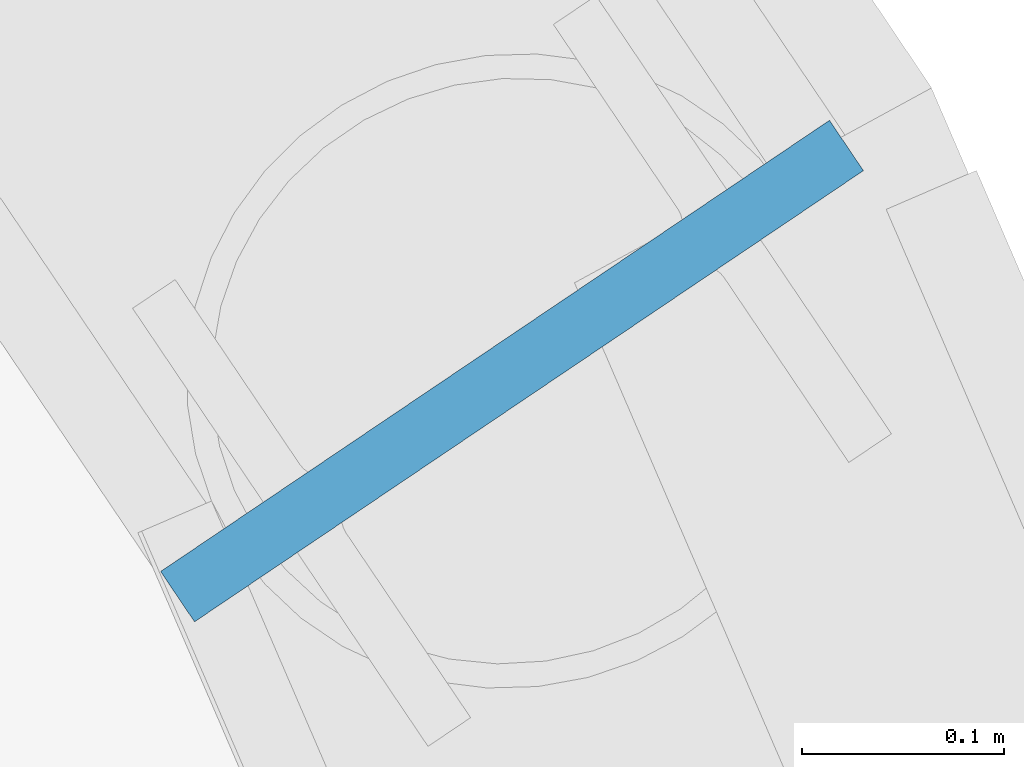
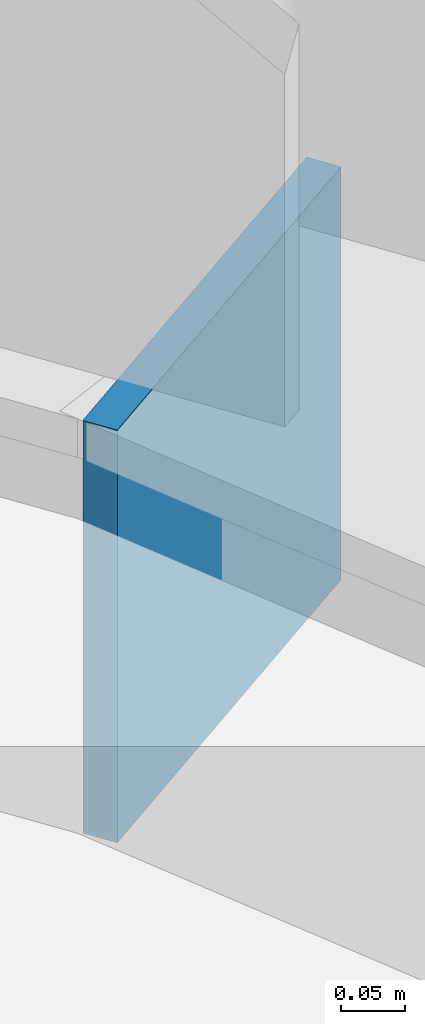
# One storey, part 15 of 19: 1 discrete accessory.
"""IFC4 building model written with IfcOpenShell, lengths in metres."""

from ifc_helpers import new_model, si_unit, direction, frame, origin, origin_2d, place, context, subcontext, project, spatial, rectangle, extrude, material, type_object, element, save


model = new_model("IFC4")

# Units and contexts
model_context = context("Model", 3, precision=1e-05, world=origin(), true_north=direction((0.0, 1.0)))
body_context = subcontext(model_context, "Body", "Model", "MODEL_VIEW")
ifc_project = project(units=[si_unit("LENGTHUNIT", "METRE"), si_unit("AREAUNIT", "SQUARE_METRE"), si_unit("VOLUMEUNIT", "CUBIC_METRE"), si_unit("PLANEANGLEUNIT", "RADIAN"), si_unit("MASSUNIT", "GRAM", prefix="KILO")], contexts=[model_context])

# Site, building, storey
site_placement = place(None, origin())
site = spatial("IfcSite", under=ifc_project, at=site_placement, CompositionType="ELEMENT")
building_placement = place(site_placement, origin())
building = spatial("IfcBuilding", under=site, at=building_placement, Name="Tarnside Tower", CompositionType="ELEMENT")
storey_placement = place(building_placement, frame((0.0, 0.0, 343.5)))
storey = spatial("IfcBuildingStorey", under=building, at=storey_placement, Name="L83", CompositionType="ELEMENT", Elevation=343.5)

# Discrete accessory
ifc_material = material(Name="Steel S355", Category="steel")
discrete_accessory_type = type_object("IfcDiscreteAccessoryType", Name="Cast-in plate L83 belt truss chord end", PredefinedType="USERDEFINED", material=ifc_material)
discrete_accessory_placement = place(storey_placement, frame((29.034912109375, 3.002197265625, -0.300048828125), z_axis=(0.0, 0.0, 1.0), x_axis=(-0.559192903471, 0.829037572555, 0.0)))
element("IfcDiscreteAccessory", 1, at=discrete_accessory_placement, inside=storey, type_object=discrete_accessory_type, Name="Cast-in plate run L83 A", ObjectType="Cast-in plate", PredefinedType="USERDEFINED", context=body_context, shape_type="SweptSolid", body=[
    extrude(rectangle(XDim=0.030029296875, YDim=0.39892578125, at=origin_2d()), origin(), (0.0, 0.0, 1.0), 0.3935546875),
])

save(model, "model.ifc")
